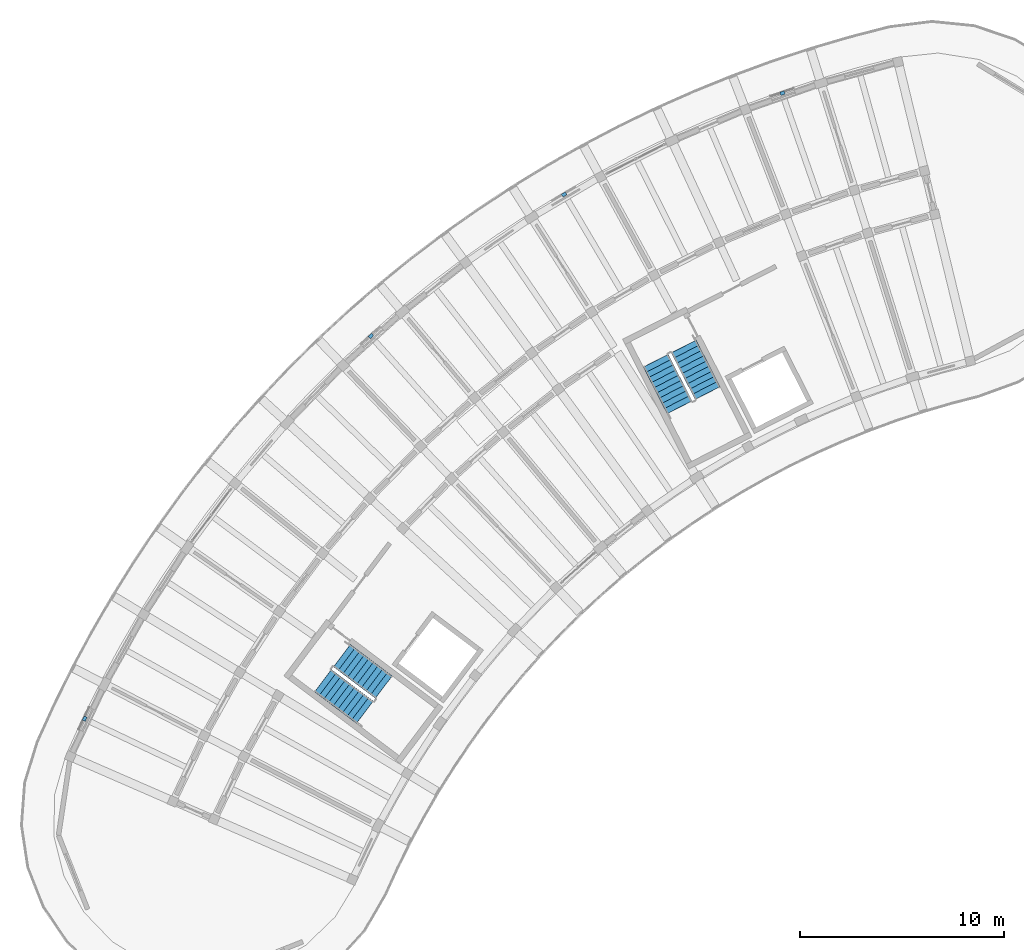
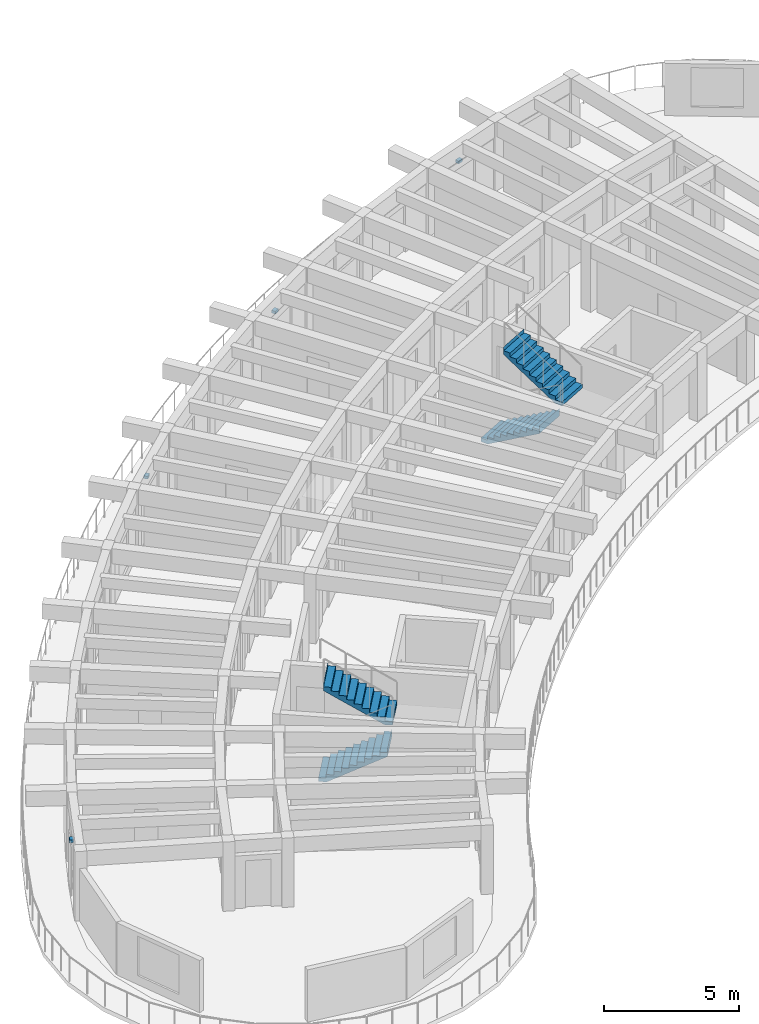
# One storey, part 25 of 32: 4 discrete accessories, 4 stair flights, 2 elements without a shape of their own.
"""IFC4 building model written with IfcOpenShell, lengths in metres."""

from ifc_helpers import new_model, si_unit, direction, frame, origin, origin_2d, place, context, subcontext, project, spatial, polyline, rectangle, outline, extrude, material, layer, layer_set, type_object, element, aggregate, save


model = new_model("IFC4")

# Units and contexts
model_context = context("Model", 3, precision=1e-05, world=origin(), true_north=direction((0.0, 1.0)))
body_context = subcontext(model_context, "Body", "Model", "MODEL_VIEW")
ifc_project = project(units=[si_unit("LENGTHUNIT", "METRE"), si_unit("AREAUNIT", "SQUARE_METRE"), si_unit("VOLUMEUNIT", "CUBIC_METRE"), si_unit("PLANEANGLEUNIT", "RADIAN"), si_unit("MASSUNIT", "GRAM", prefix="KILO")], contexts=[model_context])

# Site, building, storey
site_placement = place(None, origin())
site = spatial("IfcSite", under=ifc_project, at=site_placement, CompositionType="ELEMENT")
building_placement = place(site_placement, origin())
building = spatial("IfcBuilding", under=site, at=building_placement, Name="Tanwirah Colonnade Gardens", CompositionType="ELEMENT")
storey_placement = place(building_placement, frame((0.0, 0.0, 42.43994140625)))
storey = spatial("IfcBuildingStorey", under=building, at=storey_placement, Name="L12", CompositionType="ELEMENT", Elevation=42.43994140625)

# Stair, stair flights
ifc_material_1 = material(Name="Precast concrete C40/50", Category="concrete")
stair_type = type_object("IfcStairType", Name="ST-RES168", PredefinedType="HALF_TURN_STAIR", material=ifc_material_1)
stair_1_placement = place(storey_placement, origin())
stair_1 = element("IfcStair", 1, at=stair_1_placement, inside=storey, type_object=stair_type, Name="L12 Block A Core 1 Exit Stair", PredefinedType="HALF_TURN_STAIR")
ifc_layer = layer(ifc_material_1, 0.14990234375)
ifc_layer_set = layer_set([ifc_layer], Name="Precast concrete C40/50")
stair_flight_type = type_object("IfcStairFlightType", Name="FLT-RES150", PredefinedType="STRAIGHT", material=ifc_layer_set)
stair_flight_1_placement = place(storey_placement, frame((39.148681640625, 103.425048828125, 0.0), z_axis=(0.0, 0.0, 1.0), x_axis=(0.45399049974, -0.891006524188, 0.0)))
stair_flight_1 = element("IfcStairFlight", 2, at=stair_flight_1_placement, type_object=stair_flight_type, Name="ST-A1 flight 1", NumberOfRisers=10, NumberOfTreads=9, PredefinedType="STRAIGHT", RiserHeight=0.168, TreadLength=0.285, context=body_context, shape_type="SweptSolid", body=[
    extrude(outline(polyline([(-0.0048828125, 0.0), (0.0, 0.16796875), (0.284912109375, 0.16796875), (0.284912109375, 0.3359375), (0.570068359375, 0.3359375), (0.570068359375, 0.50390625), (0.85498046875, 0.50390625), (0.85498046875, 0.672119140625), (1.139892578125, 0.672119140625), (1.139892578125, 0.840087890625), (1.425048828125, 0.840087890625), (1.425048828125, 1.008056640625), (1.7099609375, 1.008056640625), (1.7099609375, 1.176025390625), (1.9951171875, 1.176025390625), (1.9951171875, 1.343994140625), (2.280029296875, 1.343994140625), (2.280029296875, 1.511962890625), (2.56494140625, 1.511962890625), (2.570068359375, 1.679931640625), (2.570068359375, 1.337890625), (0.30029296875, 0.0), (-0.0048828125, 0.0)])), frame((0.0, 0.68994140625, 0.0), z_axis=(0.0, -1.0, 0.0), x_axis=(1.0, 0.0, 0.0)), (0.0, 0.0, 1.0), 1.3798828125),
])
stair_flight_2_placement = place(storey_placement, frame((41.685302734375, 101.838623046875, 1.68017578125), z_axis=(0.0, 0.0, 1.0), x_axis=(-0.45399049974, 0.891006524188, 0.0)))
stair_flight_2 = element("IfcStairFlight", 3, at=stair_flight_2_placement, type_object=stair_flight_type, Name="ST-A1 flight 2", NumberOfRisers=10, NumberOfTreads=9, PredefinedType="STRAIGHT", RiserHeight=0.168, TreadLength=0.285, context=body_context, shape_type="SweptSolid", body=[
    extrude(outline(polyline([(-0.0048828125, 0.0), (0.0, 0.16796875), (0.284912109375, 0.16796875), (0.284912109375, 0.3359375), (0.570068359375, 0.3359375), (0.570068359375, 0.50390625), (0.85498046875, 0.50390625), (0.85498046875, 0.672119140625), (1.139892578125, 0.672119140625), (1.139892578125, 0.840087890625), (1.425048828125, 0.840087890625), (1.425048828125, 1.008056640625), (1.7099609375, 1.008056640625), (1.7099609375, 1.176025390625), (1.9951171875, 1.176025390625), (1.9951171875, 1.343994140625), (2.280029296875, 1.343994140625), (2.280029296875, 1.511962890625), (2.56494140625, 1.511962890625), (2.570068359375, 1.679931640625), (2.570068359375, 1.337890625), (0.30029296875, 0.0), (-0.0048828125, 0.0)])), frame((0.0, 0.68994140625, 0.0), z_axis=(0.0, -1.0, 0.0), x_axis=(1.0, 0.0, 0.0)), (0.0, 0.0, 1.0), 1.3798828125),
])
aggregate(stair_1, [stair_flight_1, stair_flight_2])

stair_2_placement = place(storey_placement, origin())
stair_2 = element("IfcStair", 4, at=stair_2_placement, inside=storey, type_object=stair_type, Name="L12 Block A Core 2 Exit Stair", PredefinedType="HALF_TURN_STAIR")
stair_flight_3_placement = place(storey_placement, frame((22.81640625, 87.7177734375, 0.0), z_axis=(0.0, 0.0, 1.0), x_axis=(0.798635510047, -0.601815023152, 0.0)))
stair_flight_3 = element("IfcStairFlight", 5, at=stair_flight_3_placement, type_object=stair_flight_type, Name="ST-A2 flight 1", NumberOfRisers=10, NumberOfTreads=9, PredefinedType="STRAIGHT", RiserHeight=0.168, TreadLength=0.285, context=body_context, shape_type="SweptSolid", body=[
    extrude(outline(polyline([(-0.0048828125, 0.0), (0.0, 0.16796875), (0.284912109375, 0.16796875), (0.284912109375, 0.3359375), (0.570068359375, 0.3359375), (0.570068359375, 0.50390625), (0.85498046875, 0.50390625), (0.85498046875, 0.672119140625), (1.139892578125, 0.672119140625), (1.139892578125, 0.840087890625), (1.425048828125, 0.840087890625), (1.425048828125, 1.008056640625), (1.7099609375, 1.008056640625), (1.7099609375, 1.176025390625), (1.9951171875, 1.176025390625), (1.9951171875, 1.343994140625), (2.280029296875, 1.343994140625), (2.280029296875, 1.511962890625), (2.56494140625, 1.511962890625), (2.570068359375, 1.679931640625), (2.570068359375, 1.337890625), (0.30029296875, 0.0), (-0.0048828125, 0.0)])), frame((0.0, 0.68994140625, 0.0), z_axis=(0.0, -1.0, 0.0), x_axis=(1.0, 0.0, 0.0)), (0.0, 0.0, 1.0), 1.3798828125),
])
stair_flight_4_placement = place(storey_placement, frame((25.791748046875, 87.404052734375, 1.68017578125), z_axis=(0.0, 0.0, 1.0), x_axis=(-0.798635510047, 0.601815023152, 0.0)))
stair_flight_4 = element("IfcStairFlight", 6, at=stair_flight_4_placement, type_object=stair_flight_type, Name="ST-A2 flight 2", NumberOfRisers=10, NumberOfTreads=9, PredefinedType="STRAIGHT", RiserHeight=0.168, TreadLength=0.285, context=body_context, shape_type="SweptSolid", body=[
    extrude(outline(polyline([(-0.0048828125, 0.0), (0.0, 0.16796875), (0.284912109375, 0.16796875), (0.284912109375, 0.3359375), (0.570068359375, 0.3359375), (0.570068359375, 0.50390625), (0.85498046875, 0.50390625), (0.85498046875, 0.672119140625), (1.139892578125, 0.672119140625), (1.139892578125, 0.840087890625), (1.425048828125, 0.840087890625), (1.425048828125, 1.008056640625), (1.7099609375, 1.008056640625), (1.7099609375, 1.176025390625), (1.9951171875, 1.176025390625), (1.9951171875, 1.343994140625), (2.280029296875, 1.343994140625), (2.280029296875, 1.511962890625), (2.56494140625, 1.511962890625), (2.570068359375, 1.679931640625), (2.570068359375, 1.337890625), (0.30029296875, 0.0), (-0.0048828125, 0.0)])), frame((0.0, 0.68994140625, 0.0), z_axis=(0.0, -1.0, 0.0), x_axis=(1.0, 0.0, 0.0)), (0.0, 0.0, 1.0), 1.3798828125),
])
aggregate(stair_2, [stair_flight_3, stair_flight_4])

# Discrete accessories
ifc_material_2 = material(Name="Steel S355", Category="steel")
discrete_accessory_type = type_object("IfcDiscreteAccessoryType", Name="BRK-SS1", PredefinedType="BRACKET", material=ifc_material_2)
for number, where, z_axis, x_axis, name in (
    (7, (45.365478515625, 116.557861328125, 2.06005859375), (0.0, 0.0, 1.0), (-0.944248445411, -0.329233767009, 0.0), "Solar screen support bracket A-L12-03"),
    (8, (34.647216796875, 111.585205078125, 2.06005859375), (0.0, 0.0, 1.0), (-0.861135993911, -0.508374664978, 0.0), "Solar screen support bracket A-L12-06"),
    (9, (25.163330078125, 104.638427734375, 2.14990234375), (0.0, 0.0, 1.0), (-0.744440031514, -0.667689328565, 0.0), "Solar screen support bracket A-L12-09"),
    (10, (11.115234375, 85.854248046875, 2.06005859375), (0.0, 0.0, 1.0), (-0.429635818333, -0.903002250056, 0.0), "Solar screen support bracket A-L12-15"),
):
    element("IfcDiscreteAccessory", number, at=place(storey_placement, frame(where, z_axis=z_axis, x_axis=x_axis)), inside=storey, type_object=discrete_accessory_type, Name=name, PredefinedType="BRACKET", context=body_context, shape_type="SweptSolid", body=[
        extrude(rectangle(XDim=0.219970703125, YDim=0.159912109375, at=origin_2d()), origin(), (0.0, 0.0, 1.0), 0.1201171875),
    ])

save(model, "model.ifc")
